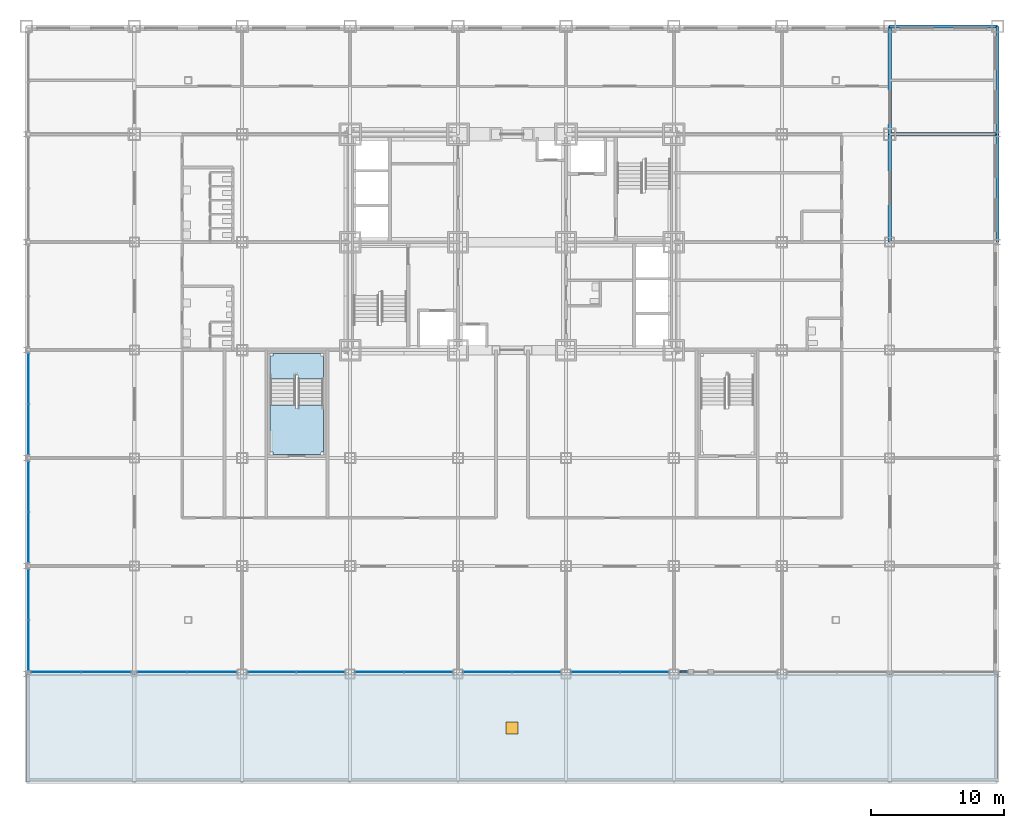
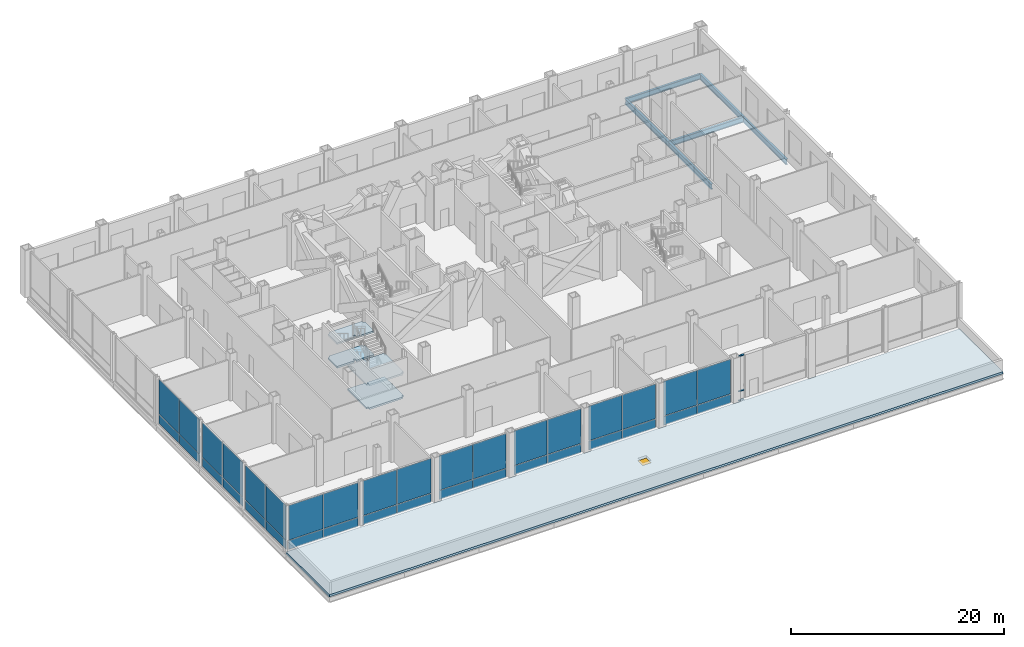
# One storey, part 18 of 29: 36 plates, 6 beams, 5 slabs, 3 members, 1 window, 1 opening, 11 elements without a shape of their own.
"""IFC4 building model written with IfcOpenShell, lengths in metres."""

from ifc_helpers import new_model, si_unit, direction, frame, origin, origin_2d, place, context, subcontext, project, spatial, polyline, rectangle, i_section, outline, extrude, material, layer, layer_set, material_profile, profile_set, type_object, element, fill, aggregate, save


model = new_model("IFC4")

# Units and contexts
model_context = context("Model", 3, precision=1e-05, world=origin(), true_north=direction((0.0, 1.0)))
body_context = subcontext(model_context, "Body", "Model", "MODEL_VIEW")
ifc_project = project(units=[si_unit("LENGTHUNIT", "METRE"), si_unit("AREAUNIT", "SQUARE_METRE"), si_unit("VOLUMEUNIT", "CUBIC_METRE"), si_unit("PLANEANGLEUNIT", "RADIAN"), si_unit("MASSUNIT", "GRAM", prefix="KILO")], contexts=[model_context])

# Site, building, storey
site_placement = place(None, origin())
site = spatial("IfcSite", under=ifc_project, at=site_placement, CompositionType="ELEMENT")
building_placement = place(site_placement, origin())
building = spatial("IfcBuilding", under=site, at=building_placement, Name="Kopane Lantern Tower", CompositionType="ELEMENT")
storey_placement = place(building_placement, frame((0.0, 0.0, 11.39990234375)))
storey = spatial("IfcBuildingStorey", under=building, at=storey_placement, Name="L02", CompositionType="ELEMENT", Elevation=11.39990234375)

# Beams
ifc_material_1 = material(Name="Steel S355JR", Category="steel")
ifc_material_profile_1 = material_profile(ifc_material_1, i_section(OverallWidth=0.22900390625, OverallDepth=0.6123046875, WebThickness=0.011962890625, FlangeThickness=0.01953125, FilletRadius=0.0126953125, at=origin_2d()), Name="UB 610x229x125")
ifc_profile_set_1 = profile_set([ifc_material_profile_1], Name="Steel S355JR")
beam_type = type_object("IfcBeamType", Name="GIRDER UB 610x229x125", PredefinedType="BEAM", material=ifc_profile_set_1)
for number, where, z_axis, x_axis, name in (
    (1, (56.699951171875, 32.39990234375, -0.555908203125), (0.0, 1.0, 0.0), (-1.0, 0.0, 0.0), "Girder L02"),
    (2, (56.699951171875, 40.5, -0.555908203125), (0.0, 1.0, 0.0), (-1.0, 0.0, 0.0), "Girder L02"),
    (3, (56.699951171875, 40.5, -0.555908203125), (1.0, 0.0, 0.0), (0.0, 1.0, 0.0), "Girder L02"),
    (4, (56.699951171875, 48.60009765625, -0.555908203125), (1.0, 0.0, 0.0), (0.0, 1.0, 0.0), "Girder L02"),
    (5, (64.800048828125, 32.39990234375, -0.555908203125), (0.0, 1.0, 0.0), (-1.0, 0.0, 0.0), "Girder L02"),
    (6, (64.800048828125, 40.5, -0.555908203125), (0.0, 1.0, 0.0), (-1.0, 0.0, 0.0), "Girder L02"),
):
    element("IfcBeam", number, at=place(storey_placement, frame(where, z_axis=z_axis, x_axis=x_axis)), inside=storey, type_object=beam_type, Name=name, PredefinedType="BEAM", context=body_context, shape_type="SweptSolid", body=[
        extrude(i_section(OverallWidth=0.22900390625, OverallDepth=0.6123046875, WebThickness=0.011962890625, FlangeThickness=0.01953125, FilletRadius=0.0126953125, at=origin_2d()), origin(), (0.0, 0.0, 1.0), 8.10009765625),
    ])

# Curtain wall, members
ifc_material_2 = material(Name="Aluminium and clear glass", Category="aluminium")
curtain_wall_type = type_object("IfcCurtainWallType", Name="CURTAIN WALL CW2 PODIUM UPPER", PredefinedType="USERDEFINED", material=ifc_material_2)
curtain_wall_1_placement = place(storey_placement, origin())
curtain_wall_1 = element("IfcCurtainWall", 7, at=curtain_wall_1_placement, inside=storey, type_object=curtain_wall_type, Name="Curtain wall CW2 S L02", ObjectType="CURTAIN WALL", PredefinedType="USERDEFINED")
ifc_material_3 = material(Name="Aluminium", Category="aluminium")
ifc_material_profile_2 = material_profile(ifc_material_3, rectangle(XDim=0.139892578125, YDim=0.06005859375, at=origin_2d()), Name="AL 140x60")
ifc_profile_set_2 = profile_set([ifc_material_profile_2], Name="Aluminium")
member_type = type_object("IfcMemberType", Name="TRANSOM CW2-T 60x140", PredefinedType="USERDEFINED", material=ifc_profile_set_2)
member_1_placement = place(storey_placement, frame((40.93994140625, 0.14990234375, 0.030029296875), z_axis=(1.0, 0.0, 0.0), x_axis=(0.0, 1.0, 0.0)))
member_1 = element("IfcMember", 8, at=member_1_placement, type_object=member_type, Name="CW2 transom 1.1", ObjectType="TRANSOM", PredefinedType="USERDEFINED", context=body_context, shape_type="SweptSolid", body=[
    extrude(rectangle(XDim=0.139892578125, YDim=0.06005859375, at=origin_2d()), origin(), (0.0, 0.0, 1.0), 0.574951171875),
])
member_2_placement = place(storey_placement, frame((40.93994140625, 0.14990234375, 1.10009765625), z_axis=(1.0, 0.0, 0.0), x_axis=(0.0, 1.0, 0.0)))
member_2 = element("IfcMember", 9, at=member_2_placement, type_object=member_type, Name="CW2 transom 1.2", ObjectType="TRANSOM", PredefinedType="USERDEFINED", context=body_context, shape_type="SweptSolid", body=[
    extrude(rectangle(XDim=0.139892578125, YDim=0.06005859375, at=origin_2d()), origin(), (0.0, 0.0, 1.0), 0.574951171875),
])
member_3_placement = place(storey_placement, frame((40.93994140625, 0.14990234375, 5.1201171875), z_axis=(1.0, 0.0, 0.0), x_axis=(0.0, 1.0, 0.0)))
member_3 = element("IfcMember", 10, at=member_3_placement, type_object=member_type, Name="CW2 transom 1.3", ObjectType="TRANSOM", PredefinedType="USERDEFINED", context=body_context, shape_type="SweptSolid", body=[
    extrude(rectangle(XDim=0.139892578125, YDim=0.06005859375, at=origin_2d()), origin(), (0.0, 0.0, 1.0), 0.574951171875),
])
aggregate(curtain_wall_1, [member_1, member_2, member_3])

# Curtain wall, plates
curtain_wall_2_placement = place(storey_placement, origin())
curtain_wall_2 = element("IfcCurtainWall", 11, at=curtain_wall_2_placement, inside=storey, type_object=curtain_wall_type, Name="Curtain wall CW2 S L02", ObjectType="CURTAIN WALL", PredefinedType="USERDEFINED")
ifc_material_4 = material(Name="Insulated clear glass unit", Category="glass")
ifc_layer_1 = layer(ifc_material_4, 0.030029296875)
ifc_layer_set_1 = layer_set([ifc_layer_1], Name="CURTAIN PANEL CW2-P 30")
plate_type = type_object("IfcPlateType", Name="CURTAIN PANEL CW2-P 30", PredefinedType="CURTAIN_PANEL", material=ifc_layer_set_1)
plate_1_placement = place(storey_placement, frame((-5.88671875, 0.14990234375, 0.06005859375), z_axis=(0.0, 0.0, 1.0), x_axis=(1.0, 0.0, 0.0)))
plate_1 = element("IfcPlate", 12, at=plate_1_placement, type_object=plate_type, Name="CW2 panel 1.1", PredefinedType="CURTAIN_PANEL", context=body_context, shape_type="SweptSolid", body=[
    extrude(rectangle(XDim=3.706787109375, YDim=0.030029296875, at=origin_2d()), origin(), (0.0, 0.0, 1.0), 1.010009765625),
])
plate_2_placement = place(storey_placement, frame((-5.88671875, 0.14990234375, 1.130126953125), z_axis=(0.0, 0.0, 1.0), x_axis=(1.0, 0.0, 0.0)))
plate_2 = element("IfcPlate", 13, at=plate_2_placement, type_object=plate_type, Name="CW2 panel 1.2", PredefinedType="CURTAIN_PANEL", context=body_context, shape_type="SweptSolid", body=[
    extrude(rectangle(XDim=3.706787109375, YDim=0.030029296875, at=origin_2d()), origin(), (0.0, 0.0, 1.0), 3.9599609375),
])
plate_3_placement = place(storey_placement, frame((-2.119873046875, 0.14990234375, 0.06005859375), z_axis=(0.0, 0.0, 1.0), x_axis=(1.0, 0.0, 0.0)))
plate_3 = element("IfcPlate", 14, at=plate_3_placement, type_object=plate_type, Name="CW2 panel 2.1", PredefinedType="CURTAIN_PANEL", context=body_context, shape_type="SweptSolid", body=[
    extrude(rectangle(XDim=3.706787109375, YDim=0.030029296875, at=origin_2d()), origin(), (0.0, 0.0, 1.0), 1.010009765625),
])
plate_4_placement = place(storey_placement, frame((-2.119873046875, 0.14990234375, 1.130126953125), z_axis=(0.0, 0.0, 1.0), x_axis=(1.0, 0.0, 0.0)))
plate_4 = element("IfcPlate", 15, at=plate_4_placement, type_object=plate_type, Name="CW2 panel 2.2", PredefinedType="CURTAIN_PANEL", context=body_context, shape_type="SweptSolid", body=[
    extrude(rectangle(XDim=3.706787109375, YDim=0.030029296875, at=origin_2d()), origin(), (0.0, 0.0, 1.0), 3.9599609375),
])
aggregate(curtain_wall_2, [plate_1, plate_2, plate_3, plate_4])

curtain_wall_3_placement = place(storey_placement, origin())
curtain_wall_3 = element("IfcCurtainWall", 16, at=curtain_wall_3_placement, inside=storey, type_object=curtain_wall_type, Name="Curtain wall CW2 S L02", ObjectType="CURTAIN WALL", PredefinedType="USERDEFINED")
plate_5_placement = place(storey_placement, frame((2.099853515625, 0.14990234375, 0.06005859375), z_axis=(0.0, 0.0, 1.0), x_axis=(1.0, 0.0, 0.0)))
plate_5 = element("IfcPlate", 17, at=plate_5_placement, type_object=plate_type, Name="CW2 panel 1.1", PredefinedType="CURTAIN_PANEL", context=body_context, shape_type="SweptSolid", body=[
    extrude(rectangle(XDim=3.666748046875, YDim=0.030029296875, at=origin_2d()), origin(), (0.0, 0.0, 1.0), 1.010009765625),
])
plate_6_placement = place(storey_placement, frame((2.099853515625, 0.14990234375, 1.130126953125), z_axis=(0.0, 0.0, 1.0), x_axis=(1.0, 0.0, 0.0)))
plate_6 = element("IfcPlate", 18, at=plate_6_placement, type_object=plate_type, Name="CW2 panel 1.2", PredefinedType="CURTAIN_PANEL", context=body_context, shape_type="SweptSolid", body=[
    extrude(rectangle(XDim=3.666748046875, YDim=0.030029296875, at=origin_2d()), origin(), (0.0, 0.0, 1.0), 3.9599609375),
])
plate_7_placement = place(storey_placement, frame((5.82666015625, 0.14990234375, 0.06005859375), z_axis=(0.0, 0.0, 1.0), x_axis=(1.0, 0.0, 0.0)))
plate_7 = element("IfcPlate", 19, at=plate_7_placement, type_object=plate_type, Name="CW2 panel 2.1", PredefinedType="CURTAIN_PANEL", context=body_context, shape_type="SweptSolid", body=[
    extrude(rectangle(XDim=3.666748046875, YDim=0.030029296875, at=origin_2d()), origin(), (0.0, 0.0, 1.0), 1.010009765625),
])
plate_8_placement = place(storey_placement, frame((5.82666015625, 0.14990234375, 1.130126953125), z_axis=(0.0, 0.0, 1.0), x_axis=(1.0, 0.0, 0.0)))
plate_8 = element("IfcPlate", 20, at=plate_8_placement, type_object=plate_type, Name="CW2 panel 2.2", PredefinedType="CURTAIN_PANEL", context=body_context, shape_type="SweptSolid", body=[
    extrude(rectangle(XDim=3.666748046875, YDim=0.030029296875, at=origin_2d()), origin(), (0.0, 0.0, 1.0), 3.9599609375),
])
aggregate(curtain_wall_3, [plate_5, plate_6, plate_7, plate_8])

curtain_wall_4_placement = place(storey_placement, origin())
curtain_wall_4 = element("IfcCurtainWall", 21, at=curtain_wall_4_placement, inside=storey, type_object=curtain_wall_type, Name="Curtain wall CW2 S L02", ObjectType="CURTAIN WALL", PredefinedType="USERDEFINED")
plate_9_placement = place(storey_placement, frame((10.330078125, 0.14990234375, 0.06005859375), z_axis=(0.0, 0.0, 1.0), x_axis=(1.0, 0.0, 0.0)))
plate_9 = element("IfcPlate", 22, at=plate_9_placement, type_object=plate_type, Name="CW2 panel 1.1", PredefinedType="CURTAIN_PANEL", context=body_context, shape_type="SweptSolid", body=[
    extrude(rectangle(XDim=3.580078125, YDim=0.030029296875, at=origin_2d()), origin(), (0.0, 0.0, 1.0), 1.010009765625),
])
plate_10_placement = place(storey_placement, frame((10.330078125, 0.14990234375, 1.130126953125), z_axis=(0.0, 0.0, 1.0), x_axis=(1.0, 0.0, 0.0)))
plate_10 = element("IfcPlate", 23, at=plate_10_placement, type_object=plate_type, Name="CW2 panel 1.2", PredefinedType="CURTAIN_PANEL", context=body_context, shape_type="SweptSolid", body=[
    extrude(rectangle(XDim=3.580078125, YDim=0.030029296875, at=origin_2d()), origin(), (0.0, 0.0, 1.0), 3.9599609375),
])
plate_11_placement = place(storey_placement, frame((13.969970703125, 0.14990234375, 0.06005859375), z_axis=(0.0, 0.0, 1.0), x_axis=(1.0, 0.0, 0.0)))
plate_11 = element("IfcPlate", 24, at=plate_11_placement, type_object=plate_type, Name="CW2 panel 2.1", PredefinedType="CURTAIN_PANEL", context=body_context, shape_type="SweptSolid", body=[
    extrude(rectangle(XDim=3.580078125, YDim=0.030029296875, at=origin_2d()), origin(), (0.0, 0.0, 1.0), 1.010009765625),
])
plate_12_placement = place(storey_placement, frame((13.969970703125, 0.14990234375, 1.130126953125), z_axis=(0.0, 0.0, 1.0), x_axis=(1.0, 0.0, 0.0)))
plate_12 = element("IfcPlate", 25, at=plate_12_placement, type_object=plate_type, Name="CW2 panel 2.2", PredefinedType="CURTAIN_PANEL", context=body_context, shape_type="SweptSolid", body=[
    extrude(rectangle(XDim=3.580078125, YDim=0.030029296875, at=origin_2d()), origin(), (0.0, 0.0, 1.0), 3.9599609375),
])
aggregate(curtain_wall_4, [plate_9, plate_10, plate_11, plate_12])

curtain_wall_5_placement = place(storey_placement, origin())
curtain_wall_5 = element("IfcCurtainWall", 26, at=curtain_wall_5_placement, inside=storey, type_object=curtain_wall_type, Name="Curtain wall CW2 S L02", ObjectType="CURTAIN WALL", PredefinedType="USERDEFINED")
plate_13_placement = place(storey_placement, frame((18.429931640625, 0.14990234375, 0.06005859375), z_axis=(0.0, 0.0, 1.0), x_axis=(1.0, 0.0, 0.0)))
plate_13 = element("IfcPlate", 27, at=plate_13_placement, type_object=plate_type, Name="CW2 panel 1.1", PredefinedType="CURTAIN_PANEL", context=body_context, shape_type="SweptSolid", body=[
    extrude(rectangle(XDim=3.580078125, YDim=0.030029296875, at=origin_2d()), origin(), (0.0, 0.0, 1.0), 1.010009765625),
])
plate_14_placement = place(storey_placement, frame((18.429931640625, 0.14990234375, 1.130126953125), z_axis=(0.0, 0.0, 1.0), x_axis=(1.0, 0.0, 0.0)))
plate_14 = element("IfcPlate", 28, at=plate_14_placement, type_object=plate_type, Name="CW2 panel 1.2", PredefinedType="CURTAIN_PANEL", context=body_context, shape_type="SweptSolid", body=[
    extrude(rectangle(XDim=3.580078125, YDim=0.030029296875, at=origin_2d()), origin(), (0.0, 0.0, 1.0), 3.9599609375),
])
plate_15_placement = place(storey_placement, frame((22.070068359375, 0.14990234375, 0.06005859375), z_axis=(0.0, 0.0, 1.0), x_axis=(1.0, 0.0, 0.0)))
plate_15 = element("IfcPlate", 29, at=plate_15_placement, type_object=plate_type, Name="CW2 panel 2.1", PredefinedType="CURTAIN_PANEL", context=body_context, shape_type="SweptSolid", body=[
    extrude(rectangle(XDim=3.580078125, YDim=0.030029296875, at=origin_2d()), origin(), (0.0, 0.0, 1.0), 1.010009765625),
])
plate_16_placement = place(storey_placement, frame((22.070068359375, 0.14990234375, 1.130126953125), z_axis=(0.0, 0.0, 1.0), x_axis=(1.0, 0.0, 0.0)))
plate_16 = element("IfcPlate", 30, at=plate_16_placement, type_object=plate_type, Name="CW2 panel 2.2", PredefinedType="CURTAIN_PANEL", context=body_context, shape_type="SweptSolid", body=[
    extrude(rectangle(XDim=3.580078125, YDim=0.030029296875, at=origin_2d()), origin(), (0.0, 0.0, 1.0), 3.9599609375),
])
aggregate(curtain_wall_5, [plate_13, plate_14, plate_15, plate_16])

curtain_wall_6_placement = place(storey_placement, origin())
curtain_wall_6 = element("IfcCurtainWall", 31, at=curtain_wall_6_placement, inside=storey, type_object=curtain_wall_type, Name="Curtain wall CW2 S L02", ObjectType="CURTAIN WALL", PredefinedType="USERDEFINED")
plate_17_placement = place(storey_placement, frame((26.530029296875, 0.14990234375, 0.06005859375), z_axis=(0.0, 0.0, 1.0), x_axis=(1.0, 0.0, 0.0)))
plate_17 = element("IfcPlate", 32, at=plate_17_placement, type_object=plate_type, Name="CW2 panel 1.1", PredefinedType="CURTAIN_PANEL", context=body_context, shape_type="SweptSolid", body=[
    extrude(rectangle(XDim=3.580078125, YDim=0.030029296875, at=origin_2d()), origin(), (0.0, 0.0, 1.0), 1.010009765625),
])
plate_18_placement = place(storey_placement, frame((26.530029296875, 0.14990234375, 1.130126953125), z_axis=(0.0, 0.0, 1.0), x_axis=(1.0, 0.0, 0.0)))
plate_18 = element("IfcPlate", 33, at=plate_18_placement, type_object=plate_type, Name="CW2 panel 1.2", PredefinedType="CURTAIN_PANEL", context=body_context, shape_type="SweptSolid", body=[
    extrude(rectangle(XDim=3.580078125, YDim=0.030029296875, at=origin_2d()), origin(), (0.0, 0.0, 1.0), 3.9599609375),
])
plate_19_placement = place(storey_placement, frame((30.169921875, 0.14990234375, 0.06005859375), z_axis=(0.0, 0.0, 1.0), x_axis=(1.0, 0.0, 0.0)))
plate_19 = element("IfcPlate", 34, at=plate_19_placement, type_object=plate_type, Name="CW2 panel 2.1", PredefinedType="CURTAIN_PANEL", context=body_context, shape_type="SweptSolid", body=[
    extrude(rectangle(XDim=3.580078125, YDim=0.030029296875, at=origin_2d()), origin(), (0.0, 0.0, 1.0), 1.010009765625),
])
plate_20_placement = place(storey_placement, frame((30.169921875, 0.14990234375, 1.130126953125), z_axis=(0.0, 0.0, 1.0), x_axis=(1.0, 0.0, 0.0)))
plate_20 = element("IfcPlate", 35, at=plate_20_placement, type_object=plate_type, Name="CW2 panel 2.2", PredefinedType="CURTAIN_PANEL", context=body_context, shape_type="SweptSolid", body=[
    extrude(rectangle(XDim=3.580078125, YDim=0.030029296875, at=origin_2d()), origin(), (0.0, 0.0, 1.0), 3.9599609375),
])
aggregate(curtain_wall_6, [plate_17, plate_18, plate_19, plate_20])

curtain_wall_7_placement = place(storey_placement, origin())
curtain_wall_7 = element("IfcCurtainWall", 36, at=curtain_wall_7_placement, inside=storey, type_object=curtain_wall_type, Name="Curtain wall CW2 S L02", ObjectType="CURTAIN WALL", PredefinedType="USERDEFINED")
plate_21_placement = place(storey_placement, frame((34.6298828125, 0.14990234375, 0.06005859375), z_axis=(0.0, 0.0, 1.0), x_axis=(1.0, 0.0, 0.0)))
plate_21 = element("IfcPlate", 37, at=plate_21_placement, type_object=plate_type, Name="CW2 panel 1.1", PredefinedType="CURTAIN_PANEL", context=body_context, shape_type="SweptSolid", body=[
    extrude(rectangle(XDim=3.580078125, YDim=0.030029296875, at=origin_2d()), origin(), (0.0, 0.0, 1.0), 1.010009765625),
])
plate_22_placement = place(storey_placement, frame((34.6298828125, 0.14990234375, 1.130126953125), z_axis=(0.0, 0.0, 1.0), x_axis=(1.0, 0.0, 0.0)))
plate_22 = element("IfcPlate", 38, at=plate_22_placement, type_object=plate_type, Name="CW2 panel 1.2", PredefinedType="CURTAIN_PANEL", context=body_context, shape_type="SweptSolid", body=[
    extrude(rectangle(XDim=3.580078125, YDim=0.030029296875, at=origin_2d()), origin(), (0.0, 0.0, 1.0), 3.9599609375),
])
plate_23_placement = place(storey_placement, frame((38.27001953125, 0.14990234375, 0.06005859375), z_axis=(0.0, 0.0, 1.0), x_axis=(1.0, 0.0, 0.0)))
plate_23 = element("IfcPlate", 39, at=plate_23_placement, type_object=plate_type, Name="CW2 panel 2.1", PredefinedType="CURTAIN_PANEL", context=body_context, shape_type="SweptSolid", body=[
    extrude(rectangle(XDim=3.580078125, YDim=0.030029296875, at=origin_2d()), origin(), (0.0, 0.0, 1.0), 1.010009765625),
])
plate_24_placement = place(storey_placement, frame((38.27001953125, 0.14990234375, 1.130126953125), z_axis=(0.0, 0.0, 1.0), x_axis=(1.0, 0.0, 0.0)))
plate_24 = element("IfcPlate", 40, at=plate_24_placement, type_object=plate_type, Name="CW2 panel 2.2", PredefinedType="CURTAIN_PANEL", context=body_context, shape_type="SweptSolid", body=[
    extrude(rectangle(XDim=3.580078125, YDim=0.030029296875, at=origin_2d()), origin(), (0.0, 0.0, 1.0), 3.9599609375),
])
aggregate(curtain_wall_7, [plate_21, plate_22, plate_23, plate_24])

curtain_wall_8_placement = place(storey_placement, origin())
curtain_wall_8 = element("IfcCurtainWall", 41, at=curtain_wall_8_placement, inside=storey, type_object=curtain_wall_type, Name="Curtain wall CW2 W L02", ObjectType="CURTAIN WALL", PredefinedType="USERDEFINED")
plate_25_placement = place(storey_placement, frame((-7.949951171875, 22.156005859375, 0.06005859375), z_axis=(0.0, 0.0, 1.0), x_axis=(0.0, -1.0, 0.0)))
plate_25 = element("IfcPlate", 42, at=plate_25_placement, type_object=plate_type, Name="CW2 panel 1.1", PredefinedType="CURTAIN_PANEL", context=body_context, shape_type="SweptSolid", body=[
    extrude(rectangle(XDim=3.751708984375, YDim=0.030029296875, at=origin_2d()), origin(), (0.0, 0.0, 1.0), 1.010009765625),
])
plate_26_placement = place(storey_placement, frame((-7.949951171875, 22.156005859375, 1.130126953125), z_axis=(0.0, 0.0, 1.0), x_axis=(0.0, -1.0, 0.0)))
plate_26 = element("IfcPlate", 43, at=plate_26_placement, type_object=plate_type, Name="CW2 panel 1.2", PredefinedType="CURTAIN_PANEL", context=body_context, shape_type="SweptSolid", body=[
    extrude(rectangle(XDim=3.751708984375, YDim=0.030029296875, at=origin_2d()), origin(), (0.0, 0.0, 1.0), 3.9599609375),
])
plate_27_placement = place(storey_placement, frame((-7.949951171875, 18.343994140625, 0.06005859375), z_axis=(0.0, 0.0, 1.0), x_axis=(0.0, -1.0, 0.0)))
plate_27 = element("IfcPlate", 44, at=plate_27_placement, type_object=plate_type, Name="CW2 panel 2.1", PredefinedType="CURTAIN_PANEL", context=body_context, shape_type="SweptSolid", body=[
    extrude(rectangle(XDim=3.751708984375, YDim=0.030029296875, at=origin_2d()), origin(), (0.0, 0.0, 1.0), 1.010009765625),
])
plate_28_placement = place(storey_placement, frame((-7.949951171875, 18.343994140625, 1.130126953125), z_axis=(0.0, 0.0, 1.0), x_axis=(0.0, -1.0, 0.0)))
plate_28 = element("IfcPlate", 45, at=plate_28_placement, type_object=plate_type, Name="CW2 panel 2.2", PredefinedType="CURTAIN_PANEL", context=body_context, shape_type="SweptSolid", body=[
    extrude(rectangle(XDim=3.751708984375, YDim=0.030029296875, at=origin_2d()), origin(), (0.0, 0.0, 1.0), 3.9599609375),
])
aggregate(curtain_wall_8, [plate_25, plate_26, plate_27, plate_28])

curtain_wall_9_placement = place(storey_placement, origin())
curtain_wall_9 = element("IfcCurtainWall", 46, at=curtain_wall_9_placement, inside=storey, type_object=curtain_wall_type, Name="Curtain wall CW2 W L02", ObjectType="CURTAIN WALL", PredefinedType="USERDEFINED")
plate_29_placement = place(storey_placement, frame((-7.949951171875, 14.055908203125, 0.06005859375), z_axis=(0.0, 0.0, 1.0), x_axis=(0.0, -1.0, 0.0)))
plate_29 = element("IfcPlate", 47, at=plate_29_placement, type_object=plate_type, Name="CW2 panel 1.1", PredefinedType="CURTAIN_PANEL", context=body_context, shape_type="SweptSolid", body=[
    extrude(rectangle(XDim=3.751708984375, YDim=0.030029296875, at=origin_2d()), origin(), (0.0, 0.0, 1.0), 1.010009765625),
])
plate_30_placement = place(storey_placement, frame((-7.949951171875, 14.055908203125, 1.130126953125), z_axis=(0.0, 0.0, 1.0), x_axis=(0.0, -1.0, 0.0)))
plate_30 = element("IfcPlate", 48, at=plate_30_placement, type_object=plate_type, Name="CW2 panel 1.2", PredefinedType="CURTAIN_PANEL", context=body_context, shape_type="SweptSolid", body=[
    extrude(rectangle(XDim=3.751708984375, YDim=0.030029296875, at=origin_2d()), origin(), (0.0, 0.0, 1.0), 3.9599609375),
])
plate_31_placement = place(storey_placement, frame((-7.949951171875, 10.244140625, 0.06005859375), z_axis=(0.0, 0.0, 1.0), x_axis=(0.0, -1.0, 0.0)))
plate_31 = element("IfcPlate", 49, at=plate_31_placement, type_object=plate_type, Name="CW2 panel 2.1", PredefinedType="CURTAIN_PANEL", context=body_context, shape_type="SweptSolid", body=[
    extrude(rectangle(XDim=3.751708984375, YDim=0.030029296875, at=origin_2d()), origin(), (0.0, 0.0, 1.0), 1.010009765625),
])
plate_32_placement = place(storey_placement, frame((-7.949951171875, 10.244140625, 1.130126953125), z_axis=(0.0, 0.0, 1.0), x_axis=(0.0, -1.0, 0.0)))
plate_32 = element("IfcPlate", 50, at=plate_32_placement, type_object=plate_type, Name="CW2 panel 2.2", PredefinedType="CURTAIN_PANEL", context=body_context, shape_type="SweptSolid", body=[
    extrude(rectangle(XDim=3.751708984375, YDim=0.030029296875, at=origin_2d()), origin(), (0.0, 0.0, 1.0), 3.9599609375),
])
aggregate(curtain_wall_9, [plate_29, plate_30, plate_31, plate_32])

curtain_wall_10_placement = place(storey_placement, origin())
curtain_wall_10 = element("IfcCurtainWall", 51, at=curtain_wall_10_placement, inside=storey, type_object=curtain_wall_type, Name="Curtain wall CW2 W L02", ObjectType="CURTAIN WALL", PredefinedType="USERDEFINED")
plate_33_placement = place(storey_placement, frame((-7.949951171875, 5.955810546875, 0.06005859375), z_axis=(0.0, 0.0, 1.0), x_axis=(0.0, -1.0, 0.0)))
plate_33 = element("IfcPlate", 52, at=plate_33_placement, type_object=plate_type, Name="CW2 panel 1.1", PredefinedType="CURTAIN_PANEL", context=body_context, shape_type="SweptSolid", body=[
    extrude(rectangle(XDim=3.751708984375, YDim=0.030029296875, at=origin_2d()), origin(), (0.0, 0.0, 1.0), 1.010009765625),
])
plate_34_placement = place(storey_placement, frame((-7.949951171875, 5.955810546875, 1.130126953125), z_axis=(0.0, 0.0, 1.0), x_axis=(0.0, -1.0, 0.0)))
plate_34 = element("IfcPlate", 53, at=plate_34_placement, type_object=plate_type, Name="CW2 panel 1.2", PredefinedType="CURTAIN_PANEL", context=body_context, shape_type="SweptSolid", body=[
    extrude(rectangle(XDim=3.751708984375, YDim=0.030029296875, at=origin_2d()), origin(), (0.0, 0.0, 1.0), 3.9599609375),
])
plate_35_placement = place(storey_placement, frame((-7.949951171875, 2.14404296875, 0.06005859375), z_axis=(0.0, 0.0, 1.0), x_axis=(0.0, -1.0, 0.0)))
plate_35 = element("IfcPlate", 54, at=plate_35_placement, type_object=plate_type, Name="CW2 panel 2.1", PredefinedType="CURTAIN_PANEL", context=body_context, shape_type="SweptSolid", body=[
    extrude(rectangle(XDim=3.751708984375, YDim=0.030029296875, at=origin_2d()), origin(), (0.0, 0.0, 1.0), 1.010009765625),
])
plate_36_placement = place(storey_placement, frame((-7.949951171875, 2.14404296875, 1.130126953125), z_axis=(0.0, 0.0, 1.0), x_axis=(0.0, -1.0, 0.0)))
plate_36 = element("IfcPlate", 55, at=plate_36_placement, type_object=plate_type, Name="CW2 panel 2.2", PredefinedType="CURTAIN_PANEL", context=body_context, shape_type="SweptSolid", body=[
    extrude(rectangle(XDim=3.751708984375, YDim=0.030029296875, at=origin_2d()), origin(), (0.0, 0.0, 1.0), 3.9599609375),
])
aggregate(curtain_wall_10, [plate_33, plate_34, plate_35, plate_36])

# Slab, opening, window
ifc_material_5 = material(Name="Concrete C40/50", Category="concrete")
ifc_layer_2 = layer(ifc_material_5, 0.25)
ifc_layer_set_2 = layer_set([ifc_layer_2], Name="SLAB 250 ROOF")
slab_type_1 = type_object("IfcSlabType", Name="SLAB 250 ROOF", PredefinedType="ROOF", material=ifc_layer_set_2)
slab_1_placement = place(storey_placement, frame((0.0, 0.0, -0.25)))
slab_1 = element("IfcSlab", 56, at=slab_1_placement, inside=storey, type_object=slab_type_1, Name="Maintenance roof slab L02", PredefinedType="ROOF", context=body_context, shape_type="SweptSolid", body=[
    extrude(outline(polyline([(64.800048828125, -8.10009765625), (-8.10009765625, -8.10009765625), (-8.10009765625, 0.0), (64.800048828125, 0.0), (64.800048828125, -8.10009765625)])), origin(), (0.0, 0.0, 1.0), 0.25),
])
opening_placement = place(slab_1_placement, frame((28.35009765625, -4.050048828125, 0.0)))
opening = element("IfcOpeningElement", 57, at=opening_placement, cuts=slab_1, Name="Opening RH1", PredefinedType="OPENING", context=body_context, shape_type="SweptSolid", body=[
    extrude(rectangle(XDim=0.89990234375, YDim=0.89990234375, at=origin_2d()), origin(), (0.0, 0.0, 1.0), 0.25),
])
ifc_material_6 = material(Name="Insulated aluminium", Category="aluminium")
window_type = type_object("IfcWindowType", Name="ROOF ACCESS HATCH RH1 900x900", PartitioningType="SINGLE_PANEL", PredefinedType="SKYLIGHT", material=ifc_material_6)
window_placement = place(opening_placement, frame((0.0, 0.0, 0.199951171875)))
window = element("IfcWindow", 58, at=window_placement, inside=storey, type_object=window_type, Name="Roof access hatch L02", OverallHeight=0.89990234375, OverallWidth=0.89990234375, PartitioningType="SINGLE_PANEL", PredefinedType="SKYLIGHT", context=body_context, shape_type="SweptSolid", body=[
    extrude(rectangle(XDim=0.89990234375, YDim=0.89990234375, at=origin_2d()), origin(), (0.0, 0.0, 1.0), 0.050048828125),
])
fill(opening, window)

# Stair, slabs
ifc_material_7 = material(Name="Steel S355JR", Category="steel")
stair_type = type_object("IfcStairType", Name="EXIT STAIR 1900 HALF TURN", PredefinedType="HALF_TURN_STAIR", material=ifc_material_7)
stair_placement = place(storey_placement, origin())
stair = element("IfcStair", 59, at=stair_placement, inside=storey, type_object=stair_type, Name="Exit stair ST3 L02", PredefinedType="HALF_TURN_STAIR")
ifc_material_8 = material(Name="Concrete C40/50", Category="concrete")
ifc_layer_3 = layer(ifc_material_8, 0.199951171875)
ifc_layer_set_3 = layer_set([ifc_layer_3], Name="STAIR LANDING 200")
slab_type_2 = type_object("IfcSlabType", Name="STAIR LANDING 200", PredefinedType="LANDING", material=ifc_layer_set_3)
slab_2_placement = place(storey_placement, frame((0.0, 0.0, -0.199951171875)))
slab_2 = element("IfcSlab", 60, at=slab_2_placement, type_object=slab_type_2, Name="ST3 landing 1", PredefinedType="LANDING", context=body_context, shape_type="SweptSolid", body=[
    extrude(outline(polyline([(10.39990234375, 16.64990234375), (10.39990234375, 16.449951171875), (14.0, 16.449951171875), (14.0, 16.64990234375), (14.199951171875, 16.64990234375), (14.199951171875, 20.18994140625), (12.300048828125, 20.18994140625), (12.300048828125, 19.909912109375), (12.10009765625, 19.909912109375), (12.10009765625, 20.18994140625), (10.199951171875, 20.18994140625), (10.199951171875, 16.64990234375), (10.39990234375, 16.64990234375)])), origin(), (0.0, 0.0, 1.0), 0.199951171875),
])
slab_3_placement = place(storey_placement, frame((0.0, 0.0, 1.150146484375)))
slab_3 = element("IfcSlab", 61, at=slab_3_placement, type_object=slab_type_2, Name="ST3 landing 2", PredefinedType="LANDING", context=body_context, shape_type="SweptSolid", body=[
    extrude(outline(polyline([(10.39990234375, 23.85009765625), (10.199951171875, 23.85009765625), (10.199951171875, 22.14990234375), (12.10009765625, 22.14990234375), (12.10009765625, 22.429931640625), (12.300048828125, 22.429931640625), (12.300048828125, 22.14990234375), (14.199951171875, 22.14990234375), (14.199951171875, 23.85009765625), (14.0, 23.85009765625), (14.0, 24.050048828125), (10.39990234375, 24.050048828125), (10.39990234375, 23.85009765625)])), origin(), (0.0, 0.0, 1.0), 0.199951171875),
])
slab_4_placement = place(storey_placement, frame((0.0, 0.0, 2.5)))
slab_4 = element("IfcSlab", 62, at=slab_4_placement, type_object=slab_type_2, Name="ST3 landing 3", PredefinedType="LANDING", context=body_context, shape_type="SweptSolid", body=[
    extrude(outline(polyline([(10.39990234375, 16.64990234375), (10.39990234375, 16.449951171875), (14.0, 16.449951171875), (14.0, 16.64990234375), (14.199951171875, 16.64990234375), (14.199951171875, 20.18994140625), (12.300048828125, 20.18994140625), (12.300048828125, 19.909912109375), (12.10009765625, 19.909912109375), (12.10009765625, 20.18994140625), (10.199951171875, 20.18994140625), (10.199951171875, 16.64990234375), (10.39990234375, 16.64990234375)])), origin(), (0.0, 0.0, 1.0), 0.2001953125),
])
slab_5_placement = place(storey_placement, frame((0.0, 0.0, 3.85009765625)))
slab_5 = element("IfcSlab", 63, at=slab_5_placement, type_object=slab_type_2, Name="ST3 landing 4", PredefinedType="LANDING", context=body_context, shape_type="SweptSolid", body=[
    extrude(outline(polyline([(10.39990234375, 23.85009765625), (10.199951171875, 23.85009765625), (10.199951171875, 22.14990234375), (12.10009765625, 22.14990234375), (12.10009765625, 22.429931640625), (12.300048828125, 22.429931640625), (12.300048828125, 22.14990234375), (14.199951171875, 22.14990234375), (14.199951171875, 23.85009765625), (14.0, 23.85009765625), (14.0, 24.050048828125), (10.39990234375, 24.050048828125), (10.39990234375, 23.85009765625)])), origin(), (0.0, 0.0, 1.0), 0.199951171875),
])
aggregate(stair, [slab_2, slab_3, slab_4, slab_5])

save(model, "model.ifc")
